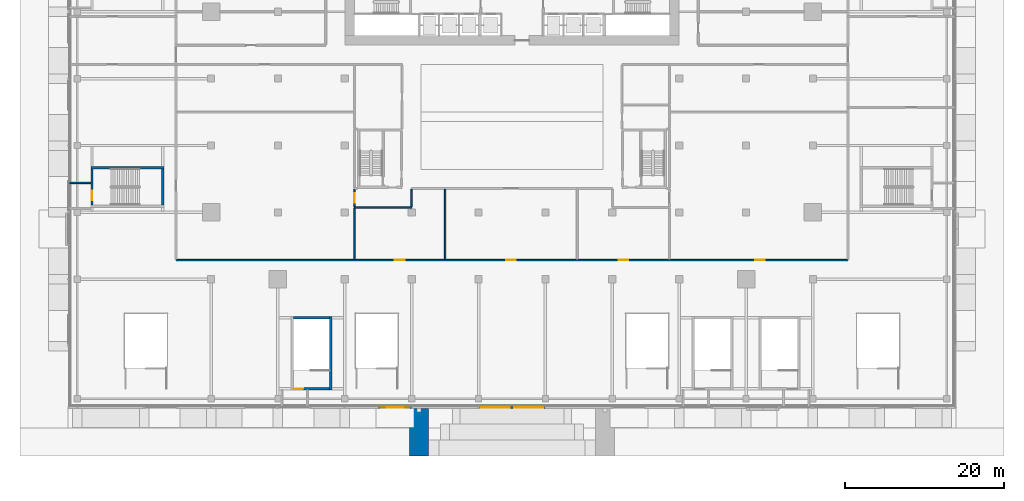
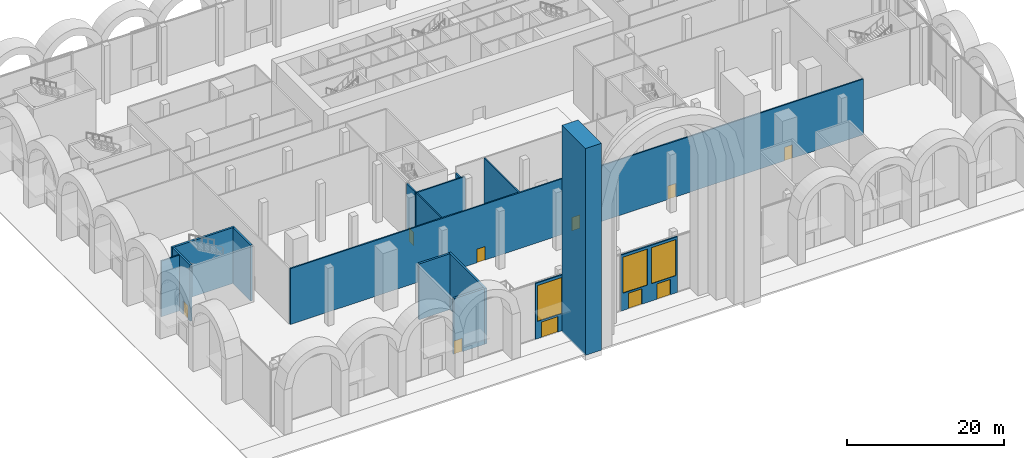
# One storey, part 20 of 43: 16 walls, 10 doors, 3 windows, 13 openings.
"""IFC4 building model written with IfcOpenShell, lengths in metres."""

from ifc_helpers import new_model, si_unit, direction, frame, frame_2d, origin, place, context, subcontext, project, spatial, rectangle, extrude, material, layer, layer_set, type_object, element, fill, save


model = new_model("IFC4")

# Units and contexts
model_context = context("Model", 3, precision=1e-05, world=origin(), true_north=direction((0.0, 1.0)))
body_context = subcontext(model_context, "Body", "Model", "MODEL_VIEW")
ifc_project = project(units=[si_unit("LENGTHUNIT", "METRE"), si_unit("AREAUNIT", "SQUARE_METRE"), si_unit("VOLUMEUNIT", "CUBIC_METRE"), si_unit("PLANEANGLEUNIT", "RADIAN"), si_unit("MASSUNIT", "GRAM", prefix="KILO")], contexts=[model_context])

# Site, building, storey
site_placement = place(None, origin())
site = spatial("IfcSite", under=ifc_project, at=site_placement, CompositionType="ELEMENT")
building_placement = place(site_placement, origin())
building = spatial("IfcBuilding", under=site, at=building_placement, Name="Saffron Gate Tower", CompositionType="ELEMENT")
storey_placement = place(building_placement, origin())
storey = spatial("IfcBuildingStorey", under=building, at=storey_placement, Name="L00", CompositionType="ELEMENT", Elevation=0.0)

# Wall
ifc_material_1 = material(Name="Gypsum board partition on steel studs", Category="steel")
ifc_layer_1 = layer(ifc_material_1, 0.199951171875)
ifc_layer_set_1 = layer_set([ifc_layer_1], Name="CW10 Core partition 200")
wall_type_1 = type_object("IfcWallType", Name="CW10 Core partition 200", PredefinedType="PARTITIONING", material=ifc_layer_set_1)
wall_1_placement = place(storey_placement, frame((32.0, 43.89990234375, 0.0), z_axis=(0.0, 0.0, 1.0), x_axis=(1.0, 0.0, 0.0)))
element("IfcWall", 1, at=wall_1_placement, inside=storey, type_object=wall_type_1, Name="Wall CW10-L00-XS-HB", PredefinedType="PARTITIONING", context=body_context, shape_type="SweptSolid", body=[
    extrude(rectangle(XDim=2.699951171875, YDim=0.199951171875, at=frame_2d((1.35009765625, 0.0))), origin(), (0.0, 0.0, 1.0), 8.699951171875),
])

# Wall, opening, door
ifc_material_2 = material(Name="Concrete C70", Category="concrete")
ifc_layer_2 = layer(ifc_material_2, 0.300048828125)
ifc_layer_set_2 = layer_set([ifc_layer_2], Name="CW5 RC core wall 300 C70")
wall_type_2 = type_object("IfcWallType", Name="CW5 RC core wall 300 C70", PredefinedType="SOLIDWALL", material=ifc_layer_set_2)
wall_2_placement = place(storey_placement, frame((34.85009765625, 41.125, 0.0), z_axis=(0.0, 0.0, 1.0), x_axis=(0.0, 1.0, 0.0)))
wall_2 = element("IfcWall", 2, at=wall_2_placement, inside=storey, type_object=wall_type_2, Name="Wall CW5-L00-H-2", PredefinedType="SOLIDWALL", context=body_context, shape_type="SweptSolid", body=[
    extrude(rectangle(XDim=4.550048828125, YDim=0.300048828125, at=frame_2d((2.27490234375, 0.0))), origin(), (0.0, 0.0, 1.0), 8.699951171875),
])
opening_1_placement = place(wall_2_placement, frame((0.574951171875, 0.0, 0.0)))
opening_1 = element("IfcOpeningElement", 3, at=opening_1_placement, cuts=wall_2, Name="Opening CR-30", PredefinedType="OPENING", context=body_context, shape_type="SweptSolid", body=[
    extrude(rectangle(XDim=1.199951171875, YDim=2.10009765625, at=frame_2d((0.60009765625, 1.050048828125))), frame((0.0, 0.16015625, 0.0), z_axis=(0.0, -1.0, 0.0), x_axis=(1.0, 0.0, 0.0)), (0.0, 0.0, 1.0), 0.320068359375),
])
ifc_material_3 = material(Name="Steel fire door set", Category="steel")
door_type_1 = type_object("IfcDoorType", Name="CD12 Stair door 1200x2100 EI 120", OperationType="NOTDEFINED", PredefinedType="DOOR", material=ifc_material_3)
door_1_placement = place(opening_1_placement, origin())
door_1 = element("IfcDoor", 4, at=door_1_placement, inside=storey, type_object=door_type_1, Name="DOOR CR-30", OperationType="SINGLE_SWING_LEFT", OverallHeight=2.10009765625, OverallWidth=1.199951171875, PredefinedType="DOOR", context=body_context, shape_type="SweptSolid", body=[
    extrude(rectangle(XDim=1.199951171875, YDim=2.10009765625, at=frame_2d((0.60009765625, 1.050048828125))), frame((0.0, 0.02490234375, 0.0), z_axis=(0.0, -1.0, 0.0), x_axis=(1.0, 0.0, 0.0)), (0.0, 0.0, 1.0), 0.050048828125),
])
fill(opening_1, door_1)

# Walls
wall_3_placement = place(storey_placement, frame((43.75, 41.125, 0.0), z_axis=(0.0, 0.0, 1.0), x_axis=(0.0, 1.0, 0.0)))
element("IfcWall", 5, at=wall_3_placement, inside=storey, type_object=wall_type_2, Name="Wall CW5-L00-H-3", PredefinedType="SOLIDWALL", context=body_context, shape_type="SweptSolid", body=[
    extrude(rectangle(XDim=4.550048828125, YDim=0.300048828125, at=frame_2d((2.27490234375, 0.0))), origin(), (0.0, 0.0, 1.0), 8.699951171875),
])
wall_4_placement = place(storey_placement, frame((34.699951171875, 45.824951171875, 0.0), z_axis=(0.0, 0.0, 1.0), x_axis=(1.0, 0.0, 0.0)))
element("IfcWall", 6, at=wall_4_placement, inside=storey, type_object=wall_type_2, Name="Wall CW5-L00-H-4", PredefinedType="SOLIDWALL", context=body_context, shape_type="SweptSolid", body=[
    extrude(rectangle(XDim=9.199951171875, YDim=0.300048828125, at=frame_2d((4.60009765625, 0.0))), origin(), (0.0, 0.0, 1.0), 8.699951171875),
])

# Wall, opening, door
wall_5_placement = place(storey_placement, frame((60.125, 18.050048828125, 0.0), z_axis=(0.0, 0.0, 1.0), x_axis=(1.0, 0.0, 0.0)))
wall_5 = element("IfcWall", 7, at=wall_5_placement, inside=storey, type_object=wall_type_2, Name="Wall CW5-L00-L-2", PredefinedType="SOLIDWALL", context=body_context, shape_type="SweptSolid", body=[
    extrude(rectangle(XDim=4.550048828125, YDim=0.300048828125, at=frame_2d((2.27490234375, 0.0))), origin(), (0.0, 0.0, 1.0), 8.699951171875),
])
opening_2_placement = place(wall_5_placement, frame((0.050048828125, 0.0, 0.0)))
opening_2 = element("IfcOpeningElement", 8, at=opening_2_placement, cuts=wall_5, Name="Opening CR-43", PredefinedType="OPENING", context=body_context, shape_type="SweptSolid", body=[
    extrude(rectangle(XDim=1.199951171875, YDim=2.10009765625, at=frame_2d((0.60009765625, 1.050048828125))), frame((0.0, 0.16015625, 0.0), z_axis=(0.0, -1.0, 0.0), x_axis=(1.0, 0.0, 0.0)), (0.0, 0.0, 1.0), 0.320068359375),
])
door_2_placement = place(opening_2_placement, origin())
door_2 = element("IfcDoor", 9, at=door_2_placement, inside=storey, type_object=door_type_1, Name="DOOR CR-43", OperationType="SINGLE_SWING_RIGHT", OverallHeight=2.10009765625, OverallWidth=1.199951171875, PredefinedType="DOOR", context=body_context, shape_type="SweptSolid", body=[
    extrude(rectangle(XDim=1.199951171875, YDim=2.10009765625, at=frame_2d((0.60009765625, 1.050048828125))), frame((0.0, 0.02490234375, 0.0), z_axis=(0.0, -1.0, 0.0), x_axis=(1.0, 0.0, 0.0)), (0.0, 0.0, 1.0), 0.050048828125),
])
fill(opening_2, door_2)

# Walls
wall_6_placement = place(storey_placement, frame((64.824951171875, 17.89990234375, 0.0), z_axis=(0.0, 0.0, 1.0), x_axis=(0.0, 1.0, 0.0)))
element("IfcWall", 10, at=wall_6_placement, inside=storey, type_object=wall_type_2, Name="Wall CW5-L00-L-3", PredefinedType="SOLIDWALL", context=body_context, shape_type="SweptSolid", body=[
    extrude(rectangle(XDim=9.2001953125, YDim=0.300048828125, at=frame_2d((4.60009765625, 0.0))), origin(), (0.0, 0.0, 1.0), 8.699951171875),
])
wall_7_placement = place(storey_placement, frame((60.125, 26.949951171875, 0.0), z_axis=(0.0, 0.0, 1.0), x_axis=(1.0, 0.0, 0.0)))
element("IfcWall", 11, at=wall_7_placement, inside=storey, type_object=wall_type_2, Name="Wall CW5-L00-L-4", PredefinedType="SOLIDWALL", context=body_context, shape_type="SweptSolid", body=[
    extrude(rectangle(XDim=4.550048828125, YDim=0.300048828125, at=frame_2d((2.27490234375, 0.0))), origin(), (0.0, 0.0, 1.0), 8.699951171875),
])
ifc_material_4 = material(Name="Reinforced concrete C50/60 clad in dark glazed ceramic tile", Category="concrete")
ifc_layer_3 = layer(ifc_material_4, 2.39990234375)
ifc_layer_set_3 = layer_set([ifc_layer_3], Name="IW1 iwan pier")
wall_type_3 = type_object("IfcWallType", Name="IW1 iwan pier", PredefinedType="SOLIDWALL", material=ifc_layer_set_3)
wall_8_placement = place(storey_placement, frame((75.89990234375, 15.60009765625, -0.199951171875), z_axis=(0.0, 0.0, 1.0), x_axis=(0.0, -1.0, 0.0)))
element("IfcWall", 12, at=wall_8_placement, inside=storey, type_object=wall_type_3, Name="IWAN PIER", PredefinedType="SOLIDWALL", context=body_context, shape_type="SweptSolid", body=[
    extrude(rectangle(XDim=6.0, YDim=2.39990234375, at=frame_2d((3.0, 0.0))), origin(), (0.0, 0.0, 1.0), 32.199951171875),
])

# Wall, openings, doors
ifc_material_5 = material(Name="Clay brick masonry, rendered", Category="masonry")
ifc_layer_4 = layer(ifc_material_5, 0.199951171875)
ifc_layer_set_4 = layer_set([ifc_layer_4], Name="PW3 Corridor wall 200")
wall_type_4 = type_object("IfcWallType", Name="PW3 Corridor wall 200", PredefinedType="PARTITIONING", material=ifc_layer_set_4)
wall_9_placement = place(storey_placement, frame((45.39990234375, 34.199951171875, 0.0), z_axis=(0.0, 0.0, 1.0), x_axis=(1.0, 0.0, 0.0)))
wall_9 = element("IfcWall", 13, at=wall_9_placement, inside=storey, type_object=wall_type_4, Name="Wall P0-1", PredefinedType="PARTITIONING", context=body_context, shape_type="SweptSolid", body=[
    extrude(rectangle(XDim=84.400146484375, YDim=0.199951171875, at=frame_2d((42.2001953125, 0.0))), origin(), (0.0, 0.0, 1.0), 8.699951171875),
])
opening_3_placement = place(wall_9_placement, frame((27.5, 0.0, 0.0)))
opening_3 = element("IfcOpeningElement", 14, at=opening_3_placement, cuts=wall_9, Name="Opening P0-7", PredefinedType="OPENING", context=body_context, shape_type="SweptSolid", body=[
    extrude(rectangle(XDim=1.199951171875, YDim=2.10009765625, at=frame_2d((0.60009765625, 1.050048828125))), frame((0.0, 0.10986328125, 0.0), z_axis=(0.0, -1.0, 0.0), x_axis=(1.0, 0.0, 0.0)), (0.0, 0.0, 1.0), 0.219970703125),
])
opening_4_placement = place(wall_9_placement, frame((41.5, 0.0, 0.0)))
opening_4 = element("IfcOpeningElement", 15, at=opening_4_placement, cuts=wall_9, Name="Opening P0-8", PredefinedType="OPENING", context=body_context, shape_type="SweptSolid", body=[
    extrude(rectangle(XDim=1.199951171875, YDim=2.10009765625, at=frame_2d((0.60009765625, 1.050048828125))), frame((0.0, 0.10986328125, 0.0), z_axis=(0.0, -1.0, 0.0), x_axis=(1.0, 0.0, 0.0)), (0.0, 0.0, 1.0), 0.219970703125),
])
opening_5_placement = place(wall_9_placement, frame((55.60009765625, 0.0, 0.0)))
opening_5 = element("IfcOpeningElement", 16, at=opening_5_placement, cuts=wall_9, Name="Opening P0-9", PredefinedType="OPENING", context=body_context, shape_type="SweptSolid", body=[
    extrude(rectangle(XDim=1.199951171875, YDim=2.10009765625, at=frame_2d((0.60009765625, 1.050048828125))), frame((0.0, 0.10986328125, 0.0), z_axis=(0.0, -1.0, 0.0), x_axis=(1.0, 0.0, 0.0)), (0.0, 0.0, 1.0), 0.219970703125),
])
opening_6_placement = place(wall_9_placement, frame((72.75, 0.0, 0.0)))
opening_6 = element("IfcOpeningElement", 17, at=opening_6_placement, cuts=wall_9, Name="Opening P0-5", PredefinedType="OPENING", context=body_context, shape_type="SweptSolid", body=[
    extrude(rectangle(XDim=1.199951171875, YDim=2.10009765625, at=frame_2d((0.60009765625, 1.050048828125))), frame((0.0, 0.10986328125, 0.0), z_axis=(0.0, -1.0, 0.0), x_axis=(1.0, 0.0, 0.0)), (0.0, 0.0, 1.0), 0.219970703125),
])
ifc_material_6 = material(Name="Timber door set", Category="wood")
door_type_2 = type_object("IfcDoorType", Name="HD1 Hall door 1200x2100", OperationType="NOTDEFINED", PredefinedType="DOOR", material=ifc_material_6)
door_3_placement = place(opening_3_placement, origin())
door_3 = element("IfcDoor", 18, at=door_3_placement, inside=storey, type_object=door_type_2, Name="Door P0-7", OperationType="SINGLE_SWING_LEFT", OverallHeight=2.10009765625, OverallWidth=1.199951171875, PredefinedType="DOOR", context=body_context, shape_type="SweptSolid", body=[
    extrude(rectangle(XDim=1.199951171875, YDim=2.10009765625, at=frame_2d((0.60009765625, 1.050048828125))), frame((0.0, 0.02490234375, 0.0), z_axis=(0.0, -1.0, 0.0), x_axis=(1.0, 0.0, 0.0)), (0.0, 0.0, 1.0), 0.050048828125),
])
fill(opening_3, door_3)
door_4_placement = place(opening_4_placement, origin())
door_4 = element("IfcDoor", 19, at=door_4_placement, inside=storey, type_object=door_type_2, Name="Door P0-8", OperationType="SINGLE_SWING_RIGHT", OverallHeight=2.10009765625, OverallWidth=1.199951171875, PredefinedType="DOOR", context=body_context, shape_type="SweptSolid", body=[
    extrude(rectangle(XDim=1.199951171875, YDim=2.10009765625, at=frame_2d((0.60009765625, 1.050048828125))), frame((0.0, 0.02490234375, 0.0), z_axis=(0.0, -1.0, 0.0), x_axis=(1.0, 0.0, 0.0)), (0.0, 0.0, 1.0), 0.050048828125),
])
fill(opening_4, door_4)
door_5_placement = place(opening_5_placement, origin())
door_5 = element("IfcDoor", 20, at=door_5_placement, inside=storey, type_object=door_type_2, Name="Door P0-9", OperationType="SINGLE_SWING_LEFT", OverallHeight=2.10009765625, OverallWidth=1.199951171875, PredefinedType="DOOR", context=body_context, shape_type="SweptSolid", body=[
    extrude(rectangle(XDim=1.199951171875, YDim=2.10009765625, at=frame_2d((0.60009765625, 1.050048828125))), frame((0.0, 0.02490234375, 0.0), z_axis=(0.0, -1.0, 0.0), x_axis=(1.0, 0.0, 0.0)), (0.0, 0.0, 1.0), 0.050048828125),
])
fill(opening_5, door_5)
door_6_placement = place(opening_6_placement, origin())
door_6 = element("IfcDoor", 21, at=door_6_placement, inside=storey, type_object=door_type_2, Name="Door P0-5", OperationType="SINGLE_SWING_RIGHT", OverallHeight=2.10009765625, OverallWidth=1.199951171875, PredefinedType="DOOR", context=body_context, shape_type="SweptSolid", body=[
    extrude(rectangle(XDim=1.199951171875, YDim=2.10009765625, at=frame_2d((0.60009765625, 1.050048828125))), frame((0.0, 0.02490234375, 0.0), z_axis=(0.0, -1.0, 0.0), x_axis=(1.0, 0.0, 0.0)), (0.0, 0.0, 1.0), 0.050048828125),
])
fill(opening_6, door_6)

# Wall
wall_10_placement = place(storey_placement, frame((67.800048828125, 40.800048828125, 0.0), z_axis=(0.0, 0.0, 1.0), x_axis=(1.0, 0.0, 0.0)))
element("IfcWall", 22, at=wall_10_placement, inside=storey, type_object=wall_type_4, Name="Wall P0-2", PredefinedType="PARTITIONING", context=body_context, shape_type="SweptSolid", body=[
    extrude(rectangle(XDim=7.199951171875, YDim=0.199951171875, at=frame_2d((3.60009765625, 0.0))), origin(), (0.0, 0.0, 1.0), 8.699951171875),
])

# Wall, opening, door
wall_11_placement = place(storey_placement, frame((67.800048828125, 43.10009765625, 0.0), z_axis=(0.0, 0.0, 1.0), x_axis=(0.0, -1.0, 0.0)))
wall_11 = element("IfcWall", 23, at=wall_11_placement, inside=storey, type_object=wall_type_4, Name="Wall P0-37", PredefinedType="PARTITIONING", context=body_context, shape_type="SweptSolid", body=[
    extrude(rectangle(XDim=2.2001953125, YDim=0.199951171875, at=frame_2d((1.10009765625, 0.0))), origin(), (0.0, 0.0, 1.0), 8.699951171875),
])
opening_7_placement = place(wall_11_placement, frame((0.5, 0.0, 0.0)))
opening_7 = element("IfcOpeningElement", 24, at=opening_7_placement, cuts=wall_11, Name="Opening XL-W", PredefinedType="OPENING", context=body_context, shape_type="SweptSolid", body=[
    extrude(rectangle(XDim=1.199951171875, YDim=2.10009765625, at=frame_2d((0.60009765625, 1.050048828125))), frame((0.0, 0.10986328125, 0.0), z_axis=(0.0, -1.0, 0.0), x_axis=(1.0, 0.0, 0.0)), (0.0, 0.0, 1.0), 0.219970703125),
])
door_type_3 = type_object("IfcDoorType", Name="CD3 Lobby door 1200x2100 EI 120", OperationType="NOTDEFINED", PredefinedType="DOOR", material=ifc_material_3)
door_7_placement = place(opening_7_placement, origin())
door_7 = element("IfcDoor", 25, at=door_7_placement, inside=storey, type_object=door_type_3, Name="DOOR XL-W", OperationType="SINGLE_SWING_LEFT", OverallHeight=2.10009765625, OverallWidth=1.199951171875, PredefinedType="DOOR", context=body_context, shape_type="SweptSolid", body=[
    extrude(rectangle(XDim=1.199951171875, YDim=2.10009765625, at=frame_2d((0.60009765625, 1.050048828125))), frame((0.0, 0.02490234375, 0.0), z_axis=(0.0, -1.0, 0.0), x_axis=(1.0, 0.0, 0.0)), (0.0, 0.0, 1.0), 0.050048828125),
])
fill(opening_7, door_7)

# Walls
wall_12_placement = place(storey_placement, frame((75.0, 43.10009765625, 0.0), z_axis=(0.0, 0.0, 1.0), x_axis=(0.0, -1.0, 0.0)))
element("IfcWall", 26, at=wall_12_placement, inside=storey, type_object=wall_type_4, Name="Wall P0-42", PredefinedType="PARTITIONING", context=body_context, shape_type="SweptSolid", body=[
    extrude(rectangle(XDim=2.2001953125, YDim=0.199951171875, at=frame_2d((1.10009765625, 0.0))), origin(), (0.0, 0.0, 1.0), 7.800048828125),
])
ifc_layer_5 = layer(ifc_material_5, 0.199951171875)
ifc_layer_set_5 = layer_set([ifc_layer_5], Name="PW5 Room wall 200")
wall_type_5 = type_object("IfcWallType", Name="PW5 Room wall 200", PredefinedType="PARTITIONING", material=ifc_layer_set_5)
wall_13_placement = place(storey_placement, frame((67.800048828125, 40.699951171875, 0.0), z_axis=(0.0, 0.0, 1.0), x_axis=(0.0, -1.0, 0.0)))
element("IfcWall", 27, at=wall_13_placement, inside=storey, type_object=wall_type_5, Name="Wall P0-39", PredefinedType="PARTITIONING", context=body_context, shape_type="SweptSolid", body=[
    extrude(rectangle(XDim=6.39990234375, YDim=0.199951171875, at=frame_2d((3.199951171875, 0.0))), origin(), (0.0, 0.0, 1.0), 8.699951171875),
])
wall_14_placement = place(storey_placement, frame((79.199951171875, 43.10009765625, 0.0), z_axis=(0.0, 0.0, 1.0), x_axis=(0.0, -1.0, 0.0)))
element("IfcWall", 28, at=wall_14_placement, inside=storey, type_object=wall_type_5, Name="Wall P0-43", PredefinedType="PARTITIONING", context=body_context, shape_type="SweptSolid", body=[
    extrude(rectangle(XDim=8.800048828125, YDim=0.199951171875, at=frame_2d((4.39990234375, 0.0))), origin(), (0.0, 0.0, 1.0), 8.699951171875),
])

# Wall, openings, doors, windows
ifc_material_7 = material(Name="Reinforced concrete C40/50 clad in bronze panels", Category="concrete")
ifc_layer_6 = layer(ifc_material_7, 0.199951171875)
ifc_layer_set_6 = layer_set([ifc_layer_6], Name="WBAY1 entrance bay wall")
wall_type_6 = type_object("IfcWallType", Name="WBAY1 entrance bay wall", PredefinedType="SOLIDWALL", material=ifc_layer_set_6)
wall_15_placement = place(storey_placement, frame((91.760009765625, 15.699951171875, 0.0), z_axis=(0.0, 0.0, 1.0), x_axis=(-1.0, 0.0, 0.0)))
wall_15 = element("IfcWall", 29, at=wall_15_placement, inside=storey, type_object=wall_type_6, Name="ENTRANCE BAY wall", PredefinedType="SOLIDWALL", context=body_context, shape_type="SweptSolid", body=[
    extrude(rectangle(XDim=8.320068359375, YDim=0.199951171875, at=frame_2d((4.16015625, 0.0))), origin(), (0.0, 0.0, 1.0), 8.699951171875),
])
opening_8_placement = place(wall_15_placement, frame((5.260009765625, 0.0, 0.0)))
opening_8 = element("IfcOpeningElement", 30, at=opening_8_placement, cuts=wall_15, Name="Opening E02A", PredefinedType="OPENING", context=body_context, shape_type="SweptSolid", body=[
    extrude(rectangle(XDim=2.0, YDim=2.39990234375, at=frame_2d((1.0, 1.199951171875))), frame((0.0, 0.10986328125, 0.0), z_axis=(0.0, -1.0, 0.0), x_axis=(1.0, 0.0, 0.0)), (0.0, 0.0, 1.0), 0.219970703125),
])
opening_9_placement = place(wall_15_placement, frame((4.4599609375, 0.0, 2.699951171875)))
opening_9 = element("IfcOpeningElement", 31, at=opening_9_placement, cuts=wall_15, Name="Opening W9", PredefinedType="OPENING", context=body_context, shape_type="SweptSolid", body=[
    extrude(rectangle(XDim=3.60009765625, YDim=5.60009765625, at=frame_2d((1.800048828125, 2.800048828125))), frame((0.0, 0.10986328125, 0.0), z_axis=(0.0, -1.0, 0.0), x_axis=(1.0, 0.0, 0.0)), (0.0, 0.0, 1.0), 0.219970703125),
])
opening_10_placement = place(wall_15_placement, frame((1.06005859375, 0.0, 0.0)))
opening_10 = element("IfcOpeningElement", 32, at=opening_10_placement, cuts=wall_15, Name="Opening E02B", PredefinedType="OPENING", context=body_context, shape_type="SweptSolid", body=[
    extrude(rectangle(XDim=2.0, YDim=2.39990234375, at=frame_2d((1.0, 1.199951171875))), frame((0.0, 0.10986328125, 0.0), z_axis=(0.0, -1.0, 0.0), x_axis=(1.0, 0.0, 0.0)), (0.0, 0.0, 1.0), 0.219970703125),
])
opening_11_placement = place(wall_15_placement, frame((0.260009765625, 0.0, 2.699951171875)))
opening_11 = element("IfcOpeningElement", 33, at=opening_11_placement, cuts=wall_15, Name="Opening W9", PredefinedType="OPENING", context=body_context, shape_type="SweptSolid", body=[
    extrude(rectangle(XDim=3.60009765625, YDim=5.60009765625, at=frame_2d((1.800048828125, 2.800048828125))), frame((0.0, 0.10986328125, 0.0), z_axis=(0.0, -1.0, 0.0), x_axis=(1.0, 0.0, 0.0)), (0.0, 0.0, 1.0), 0.219970703125),
])
ifc_material_8 = material(Name="Bronze-framed toughened glass", Category="glass")
ifc_layer_7 = layer(ifc_material_8, 0.050048828125)
ifc_layer_set_7 = layer_set([ifc_layer_7], Name="D1 external double door 2000x2400")
door_type_4 = type_object("IfcDoorType", Name="D1 external double door 2000x2400", OperationType="DOUBLE_DOOR_SINGLE_SWING", PredefinedType="DOOR", material=ifc_layer_set_7)
door_8_placement = place(opening_8_placement, origin())
door_8 = element("IfcDoor", 34, at=door_8_placement, inside=storey, type_object=door_type_4, Name="DOOR E02A", OperationType="DOUBLE_DOOR_SINGLE_SWING", OverallHeight=2.39990234375, OverallWidth=2.0, PredefinedType="DOOR", context=body_context, shape_type="SweptSolid", body=[
    extrude(rectangle(XDim=2.0, YDim=2.39990234375, at=frame_2d((1.0, 1.199951171875))), frame((0.0, 0.02490234375, 0.0), z_axis=(0.0, -1.0, 0.0), x_axis=(1.0, 0.0, 0.0)), (0.0, 0.0, 1.0), 0.050048828125),
])
fill(opening_8, door_8)
door_9_placement = place(opening_10_placement, origin())
door_9 = element("IfcDoor", 35, at=door_9_placement, inside=storey, type_object=door_type_4, Name="DOOR E02B", OperationType="DOUBLE_DOOR_SINGLE_SWING", OverallHeight=2.39990234375, OverallWidth=2.0, PredefinedType="DOOR", context=body_context, shape_type="SweptSolid", body=[
    extrude(rectangle(XDim=2.0, YDim=2.39990234375, at=frame_2d((1.0, 1.199951171875))), frame((0.0, 0.02490234375, 0.0), z_axis=(0.0, -1.0, 0.0), x_axis=(1.0, 0.0, 0.0)), (0.0, 0.0, 1.0), 0.050048828125),
])
fill(opening_10, door_9)
ifc_material_9 = material(Name="Clear low-iron laminated glass in bronze frame", Category="glass")
ifc_layer_8 = layer(ifc_material_9, 0.06005859375)
ifc_layer_set_8 = layer_set([ifc_layer_8], Name="W9 entrance light")
window_type = type_object("IfcWindowType", Name="W9 entrance light", PartitioningType="SINGLE_PANEL", PredefinedType="WINDOW", material=ifc_layer_set_8)
window_1_placement = place(opening_9_placement, origin())
window_1 = element("IfcWindow", 36, at=window_1_placement, inside=storey, type_object=window_type, Name="W9 entrance light", OverallHeight=5.60009765625, OverallWidth=3.60009765625, PartitioningType="SINGLE_PANEL", PredefinedType="WINDOW", context=body_context, shape_type="SweptSolid", body=[
    extrude(rectangle(XDim=3.60009765625, YDim=5.60009765625, at=frame_2d((1.800048828125, 2.800048828125))), frame((0.0, 0.030029296875, 0.0), z_axis=(0.0, -1.0, 0.0), x_axis=(1.0, 0.0, 0.0)), (0.0, 0.0, 1.0), 0.06005859375),
])
fill(opening_9, window_1)
window_2_placement = place(opening_11_placement, origin())
window_2 = element("IfcWindow", 37, at=window_2_placement, inside=storey, type_object=window_type, Name="W9 entrance light", OverallHeight=5.60009765625, OverallWidth=3.60009765625, PartitioningType="SINGLE_PANEL", PredefinedType="WINDOW", context=body_context, shape_type="SweptSolid", body=[
    extrude(rectangle(XDim=3.60009765625, YDim=5.60009765625, at=frame_2d((1.800048828125, 2.800048828125))), frame((0.0, 0.030029296875, 0.0), z_axis=(0.0, -1.0, 0.0), x_axis=(1.0, 0.0, 0.0)), (0.0, 0.0, 1.0), 0.06005859375),
])
fill(opening_11, window_2)

# Wall, openings, window, door
wall_16_placement = place(storey_placement, frame((74.9599609375, 15.699951171875, 0.0), z_axis=(0.0, 0.0, 1.0), x_axis=(-1.0, 0.0, 0.0)))
wall_16 = element("IfcWall", 38, at=wall_16_placement, inside=storey, type_object=wall_type_6, Name="ENTRANCE BAY wall", PredefinedType="SOLIDWALL", context=body_context, shape_type="SweptSolid", body=[
    extrude(rectangle(XDim=4.119873046875, YDim=0.199951171875, at=frame_2d((2.06005859375, 0.0))), origin(), (0.0, 0.0, 1.0), 8.699951171875),
])
opening_12_placement = place(wall_16_placement, frame((0.860107421875, 0.0, 0.0)))
opening_12 = element("IfcOpeningElement", 39, at=opening_12_placement, cuts=wall_16, Name="Opening E10", PredefinedType="OPENING", context=body_context, shape_type="SweptSolid", body=[
    extrude(rectangle(XDim=2.39990234375, YDim=2.39990234375, at=frame_2d((1.199951171875, 1.199951171875))), frame((0.0, 0.10986328125, 0.0), z_axis=(0.0, -1.0, 0.0), x_axis=(1.0, 0.0, 0.0)), (0.0, 0.0, 1.0), 0.219970703125),
])
opening_13_placement = place(wall_16_placement, frame((0.260009765625, 0.0, 2.699951171875)))
opening_13 = element("IfcOpeningElement", 40, at=opening_13_placement, cuts=wall_16, Name="Opening W9", PredefinedType="OPENING", context=body_context, shape_type="SweptSolid", body=[
    extrude(rectangle(XDim=3.60009765625, YDim=5.60009765625, at=frame_2d((1.800048828125, 2.800048828125))), frame((0.0, 0.10986328125, 0.0), z_axis=(0.0, -1.0, 0.0), x_axis=(1.0, 0.0, 0.0)), (0.0, 0.0, 1.0), 0.219970703125),
])
window_3_placement = place(opening_13_placement, origin())
window_3 = element("IfcWindow", 41, at=window_3_placement, inside=storey, type_object=window_type, Name="W9 entrance light", OverallHeight=5.60009765625, OverallWidth=3.60009765625, PartitioningType="SINGLE_PANEL", PredefinedType="WINDOW", context=body_context, shape_type="SweptSolid", body=[
    extrude(rectangle(XDim=3.60009765625, YDim=5.60009765625, at=frame_2d((1.800048828125, 2.800048828125))), frame((0.0, 0.030029296875, 0.0), z_axis=(0.0, -1.0, 0.0), x_axis=(1.0, 0.0, 0.0)), (0.0, 0.0, 1.0), 0.06005859375),
])
fill(opening_13, window_3)
ifc_layer_9 = layer(ifc_material_8, 0.050048828125)
ifc_layer_set_9 = layer_set([ifc_layer_9], Name="X1 exit double door 2400x2400")
door_type_5 = type_object("IfcDoorType", Name="X1 exit double door 2400x2400", OperationType="DOUBLE_DOOR_SINGLE_SWING", PredefinedType="DOOR", material=ifc_layer_set_9)
door_10_placement = place(opening_12_placement, origin())
door_10 = element("IfcDoor", 42, at=door_10_placement, inside=storey, type_object=door_type_5, Name="EXIT E10", OperationType="DOUBLE_DOOR_SINGLE_SWING", OverallHeight=2.39990234375, OverallWidth=2.39990234375, PredefinedType="DOOR", context=body_context, shape_type="SweptSolid", body=[
    extrude(rectangle(XDim=2.39990234375, YDim=2.39990234375, at=frame_2d((1.199951171875, 1.199951171875))), frame((0.0, 0.02490234375, 0.0), z_axis=(0.0, -1.0, 0.0), x_axis=(1.0, 0.0, 0.0)), (0.0, 0.0, 1.0), 0.050048828125),
])
fill(opening_12, door_10)

save(model, "model.ifc")
